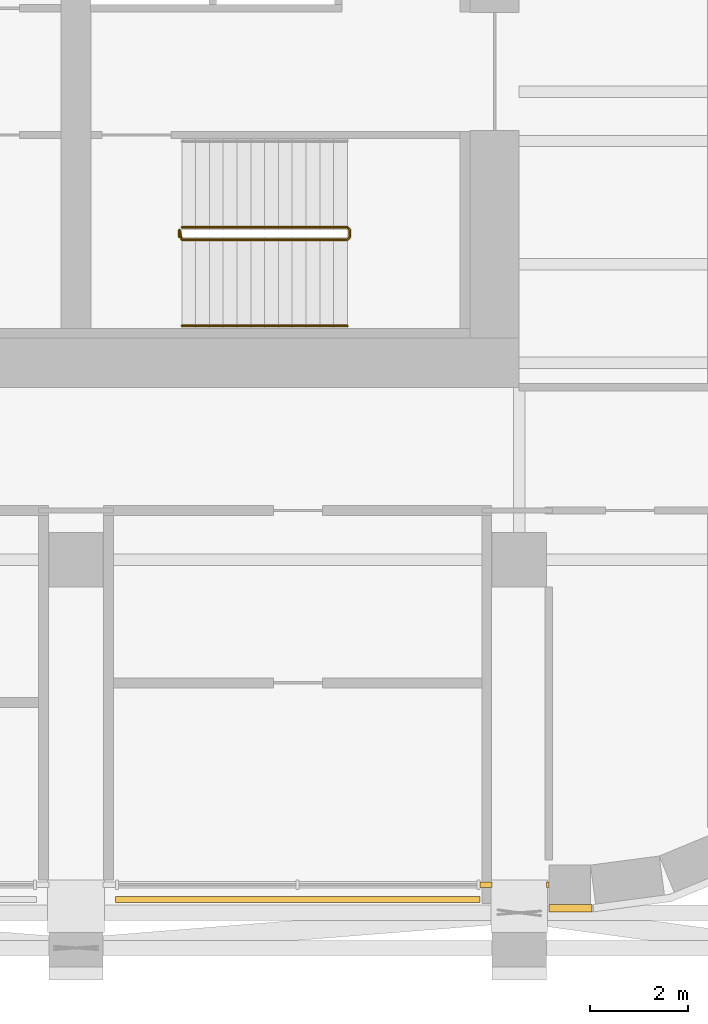
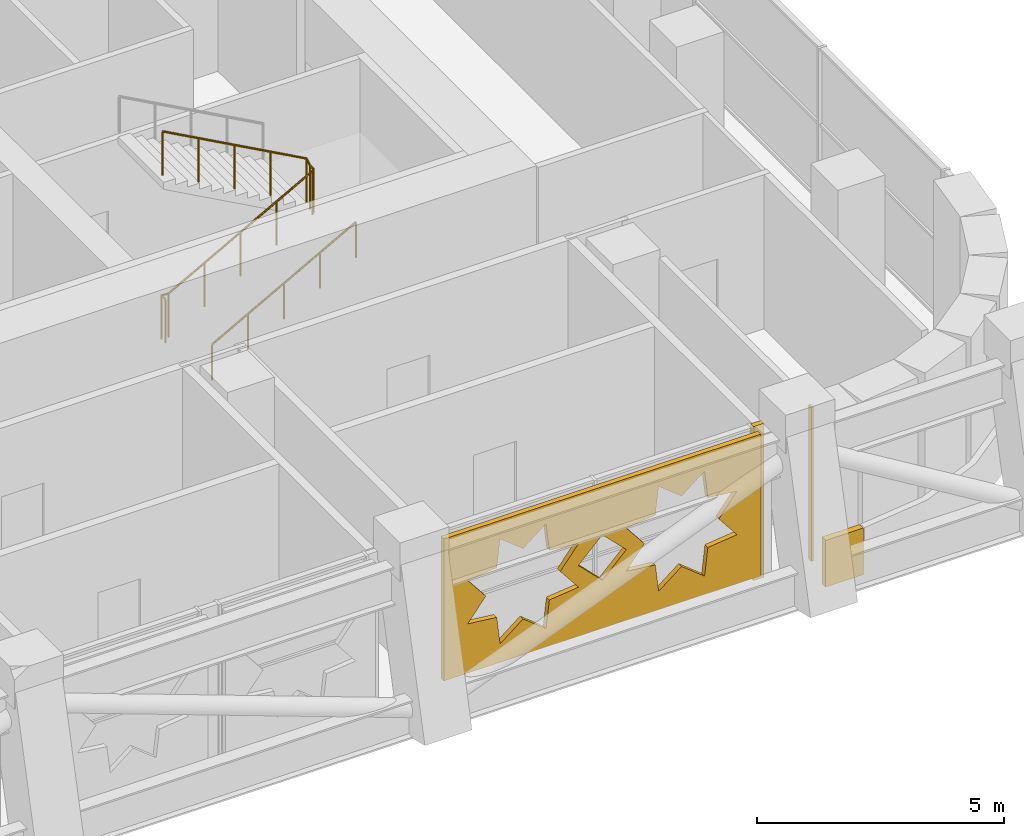
# One storey, part 21 of 27: 4 coverings, 2 railings.
"""IFC4 building model written with IfcOpenShell, lengths in metres."""

from ifc_helpers import new_model, si_unit, direction, frame, origin, origin_2d, place, context, subcontext, project, spatial, polyline, rectangle, circle, outline, extrude, material, layer, layer_set, type_object, element, save


model = new_model("IFC4")

# Units and contexts
model_context = context("Model", 3, precision=1e-05, world=origin(), true_north=direction((0.0, 1.0)))
body_context = subcontext(model_context, "Body", "Model", "MODEL_VIEW")
ifc_project = project(units=[si_unit("LENGTHUNIT", "METRE"), si_unit("AREAUNIT", "SQUARE_METRE"), si_unit("VOLUMEUNIT", "CUBIC_METRE"), si_unit("PLANEANGLEUNIT", "RADIAN"), si_unit("MASSUNIT", "GRAM", prefix="KILO")], contexts=[model_context])

# Site, building, storey
site_placement = place(None, origin())
site = spatial("IfcSite", under=ifc_project, at=site_placement, CompositionType="ELEMENT")
building_placement = place(site_placement, origin())
building = spatial("IfcBuilding", under=site, at=building_placement, Name="Zellij Exchange Tower", CompositionType="ELEMENT")
storey_placement = place(building_placement, frame((0.0, 0.0, 104.5)))
storey = spatial("IfcBuildingStorey", under=building, at=storey_placement, Name="L22", CompositionType="ELEMENT", Elevation=104.5)

# Railings
ifc_material_1 = material(Name="Stainless steel", Category="steel")
railing_type_1 = type_object("IfcRailingType", Name="CORE-RG stair guard", PredefinedType="GUARDRAIL", material=ifc_material_1)
railing_1_placement = place(storey_placement, frame((20.10009765625, -10.949951171875, 0.0)))
element("IfcRailing", 1, at=railing_1_placement, inside=storey, type_object=railing_type_1, Name="ST4 stair guard L22", PredefinedType="GUARDRAIL", context=body_context, shape_type="SweptSolid", body=[
    extrude(circle(Radius=0.02392578125, at=origin_2d()), frame((0.0, 0.0, 1.076171875), z_axis=(0.0, 1.0, 0.0), x_axis=(-1.0, 0.0, 0.0)), (0.0, 0.0, 1.0), 0.14990234375),
    extrude(circle(Radius=0.02392578125, at=origin_2d()), frame((0.0, 0.14990234375, 1.076171875), z_axis=(0.193691321961, -0.777613689637, 0.598164376644), x_axis=(0.970351222016, 0.241699205484, 0.0)), (0.0, 0.0, 1.0), 0.257080078125),
    extrude(circle(Radius=0.02392578125, at=origin_2d()), frame((0.0498046875, -0.050048828125, 1.22998046875), z_axis=(0.876421534553, 0.0, 0.481544695509), x_axis=(0.0, 1.0, 0.0)), (0.0, 0.0, 1.0), 3.833984375),
    extrude(circle(Radius=0.02392578125, at=origin_2d()), frame((3.409912109375, -0.050048828125, 3.076171875), z_axis=(0.707106781187, 0.707106781187, 0.0), x_axis=(-0.707106781187, 0.707106781187, 0.0)), (0.0, 0.0, 1.0), 0.07080078125),
    extrude(circle(Radius=0.02392578125, at=origin_2d()), frame((3.4599609375, 0.0, 3.076171875), z_axis=(0.0, 1.0, 0.0), x_axis=(-1.0, 0.0, 0.0)), (0.0, 0.0, 1.0), 0.14990234375),
    extrude(circle(Radius=0.02392578125, at=origin_2d()), frame((3.4599609375, 0.14990234375, 3.076171875), z_axis=(-0.295599637079, 0.295599637079, 0.908428152975), x_axis=(-0.707106781187, -0.707106781187, 0.0)), (0.0, 0.0, 1.0), 0.16943359375),
    extrude(circle(Radius=0.02392578125, at=origin_2d()), frame((3.409912109375, 0.199951171875, 3.22998046875), z_axis=(-0.876421534553, 0.0, 0.481544695509), x_axis=(0.0, -1.0, 0.0)), (0.0, 0.0, 1.0), 3.833984375),
    extrude(circle(Radius=0.02099609375, at=origin_2d()), origin(), (0.0, 0.0, 1.0), 1.052001953125),
    extrude(circle(Radius=0.02099609375, at=origin_2d()), frame((0.0, 0.14990234375, 0.0)), (0.0, 0.0, 1.0), 1.052001953125),
    extrude(circle(Radius=0.02099609375, at=origin_2d()), frame((0.0498046875, -0.050048828125, 0.15380859375)), (0.0, 0.0, 1.0), 1.052001953125),
    extrude(circle(Radius=0.02099609375, at=origin_2d()), frame((0.889892578125, -0.050048828125, 0.615234375)), (0.0, 0.0, 1.0), 1.052001953125),
    extrude(circle(Radius=0.02099609375, at=origin_2d()), frame((1.72998046875, -0.050048828125, 1.076904296875)), (0.0, 0.0, 1.0), 1.052001953125),
    extrude(circle(Radius=0.02099609375, at=origin_2d()), frame((2.56982421875, -0.050048828125, 1.53857421875)), (0.0, 0.0, 1.0), 1.052001953125),
    extrude(circle(Radius=0.02099609375, at=origin_2d()), frame((3.409912109375, -0.050048828125, 2.0)), (0.0, 0.0, 1.0), 1.052001953125),
    extrude(circle(Radius=0.02099609375, at=origin_2d()), frame((3.4599609375, 0.0, 2.0)), (0.0, 0.0, 1.0), 1.052001953125),
    extrude(circle(Radius=0.02099609375, at=origin_2d()), frame((3.4599609375, 0.14990234375, 2.0)), (0.0, 0.0, 1.0), 1.052001953125),
    extrude(circle(Radius=0.02099609375, at=origin_2d()), frame((3.409912109375, 0.199951171875, 2.15380859375)), (0.0, 0.0, 1.0), 1.052001953125),
    extrude(circle(Radius=0.02099609375, at=origin_2d()), frame((2.56982421875, 0.199951171875, 2.615234375)), (0.0, 0.0, 1.0), 1.052001953125),
    extrude(circle(Radius=0.02099609375, at=origin_2d()), frame((1.72998046875, 0.199951171875, 3.076904296875)), (0.0, 0.0, 1.0), 1.052001953125),
    extrude(circle(Radius=0.02099609375, at=origin_2d()), frame((0.889892578125, 0.199951171875, 3.53857421875)), (0.0, 0.0, 1.0), 1.052001953125),
    extrude(circle(Radius=0.02099609375, at=origin_2d()), frame((0.0498046875, 0.199951171875, 4.0)), (0.0, 0.0, 1.0), 1.052001953125),
])
railing_type_2 = type_object("IfcRailingType", Name="CORE-RH stair handrail", PredefinedType="HANDRAIL", material=ifc_material_1)
railing_2_placement = place(storey_placement, frame((20.14990234375, -12.75, 0.15380859375)))
element("IfcRailing", 2, at=railing_2_placement, inside=storey, type_object=railing_type_2, Name="ST4 stair handrail L22", PredefinedType="HANDRAIL", context=body_context, shape_type="SweptSolid", body=[
    extrude(circle(Radius=0.02392578125, at=origin_2d()), frame((0.0, 0.0, 0.8759765625), z_axis=(0.876421534553, 0.0, 0.481544695509), x_axis=(0.0, 1.0, 0.0)), (0.0, 0.0, 1.0), 3.833984375),
    extrude(circle(Radius=0.02099609375, at=origin_2d()), origin(), (0.0, 0.0, 1.0), 0.851806640625),
    extrude(circle(Radius=0.02099609375, at=origin_2d()), frame((0.840087890625, 0.0, 0.46142578125)), (0.0, 0.0, 1.0), 0.851806640625),
    extrude(circle(Radius=0.02099609375, at=origin_2d()), frame((1.68017578125, 0.0, 0.923095703125)), (0.0, 0.0, 1.0), 0.851806640625),
    extrude(circle(Radius=0.02099609375, at=origin_2d()), frame((2.52001953125, 0.0, 1.384765625)), (0.0, 0.0, 1.0), 0.851806640625),
    extrude(circle(Radius=0.02099609375, at=origin_2d()), frame((3.360107421875, 0.0, 1.84619140625)), (0.0, 0.0, 1.0), 0.851806640625),
])

# Coverings
ifc_material_2 = material(Name="Limestone cladding", Category="masonry")
ifc_layer_1 = layer(ifc_material_2, 0.14990234375)
ifc_layer_set_1 = layer_set([ifc_layer_1], Name="Limestone cladding")
covering_type_1 = type_object("IfcCoveringType", Name="ENV-CV1 Stone spandrel band 150", PredefinedType="CLADDING", material=ifc_layer_set_1)
covering_1_placement = place(storey_placement, frame((0.0, 0.0, -0.35009765625)))
element("IfcCovering", 3, at=covering_1_placement, inside=storey, type_object=covering_type_1, Name="Stone spandrel band", PredefinedType="CLADDING", context=body_context, shape_type="SweptSolid", body=[
    extrude(outline(polyline([(27.60009765625, -24.5), (28.473876953125, -24.5), (28.483642578125, -24.64990234375), (27.60009765625, -24.64990234375), (27.60009765625, -24.5)])), origin(), (0.0, 0.0, 1.0), 1.150146484375),
])
ifc_layer_2 = layer(ifc_material_2, 0.1201171875)
ifc_layer_set_2 = layer_set([ifc_layer_2], Name="Limestone cladding")
covering_type_2 = type_object("IfcCoveringType", Name="ENV-CV18 Glazing closer 120", PredefinedType="CLADDING", material=ifc_layer_set_2)
covering_2_placement = place(storey_placement, frame((26.324951171875, -24.10009765625, 0.0), z_axis=(0.0, 0.0, 1.0), x_axis=(1.0, 0.0, 0.0)))
element("IfcCovering", 4, at=covering_2_placement, inside=storey, type_object=covering_type_2, Name="Glazing closer", PredefinedType="CLADDING", context=body_context, shape_type="SweptSolid", body=[
    extrude(rectangle(XDim=0.25, YDim=0.1201171875, at=origin_2d()), origin(), (0.0, 0.0, 1.0), 3.800048828125),
])
covering_3_placement = place(storey_placement, frame((27.574951171875, -24.10009765625, 0.0), z_axis=(0.0, 0.0, 1.0), x_axis=(-1.0, 0.0, 0.0)))
element("IfcCovering", 5, at=covering_3_placement, inside=storey, type_object=covering_type_2, Name="Glazing closer", PredefinedType="CLADDING", context=body_context, shape_type="SweptSolid", body=[
    extrude(rectangle(XDim=0.050048828125, YDim=0.1201171875, at=origin_2d()), origin(), (0.0, 0.0, 1.0), 3.800048828125),
])
ifc_material_3 = material(Name="Limestone screen", Category="masonry")
ifc_layer_3 = layer(ifc_material_3, 0.1201171875)
ifc_layer_set_3 = layer_set([ifc_layer_3], Name="Limestone screen")
covering_type_3 = type_object("IfcCoveringType", Name="ENV-SC1 Pierced stone screen 120", PredefinedType="USERDEFINED", material=ifc_layer_set_3)
covering_4_placement = place(storey_placement, frame((18.800048828125, -24.39990234375, 0.300048828125), z_axis=(0.0, 0.0, 1.0), x_axis=(1.0, 0.0, 0.0)))
element("IfcCovering", 6, at=covering_4_placement, inside=storey, type_object=covering_type_3, Name="Pierced stone screen", ObjectType="SCREEN", PredefinedType="USERDEFINED", context=body_context, shape_type="SweptSolid", body=[
    extrude(outline(polyline([(0.0, 0.0), (7.39990234375, 0.0), (7.39990234375, 3.5), (0.0, 3.5), (0.0, 0.0)]), holes=[polyline([(3.143310546875, 2.285888671875), (2.4638671875, 2.36376953125), (2.3857421875, 3.04345703125), (1.85009765625, 2.617919921875), (1.314208984375, 3.04345703125), (1.236083984375, 2.36376953125), (0.556640625, 2.285888671875), (0.98193359375, 1.75), (0.556640625, 1.214111328125), (1.236083984375, 1.13623046875), (1.314208984375, 0.45654296875), (1.85009765625, 0.882080078125), (2.3857421875, 0.45654296875), (2.4638671875, 1.13623046875), (3.143310546875, 1.214111328125), (2.718017578125, 1.75), (3.143310546875, 2.285888671875)]), polyline([(6.843505859375, 2.285888671875), (6.163818359375, 2.36376953125), (6.085693359375, 3.04345703125), (5.550048828125, 2.617919921875), (5.01416015625, 3.04345703125), (4.936279296875, 2.36376953125), (4.256591796875, 2.285888671875), (4.681884765625, 1.75), (4.256591796875, 1.214111328125), (4.936279296875, 1.13623046875), (5.01416015625, 0.45654296875), (5.550048828125, 0.882080078125), (6.085693359375, 0.45654296875), (6.163818359375, 1.13623046875), (6.843505859375, 1.214111328125), (6.41796875, 1.75), (6.843505859375, 2.285888671875)]), polyline([(4.260009765625, 1.75), (3.699951171875, 2.31005859375), (3.139892578125, 1.75), (3.699951171875, 1.18994140625), (4.260009765625, 1.75)])]), frame((0.0, 0.06005859375, 0.0), z_axis=(0.0, -1.0, 0.0), x_axis=(1.0, 0.0, 0.0)), (0.0, 0.0, 1.0), 0.1201171875),
])

save(model, "model.ifc")
